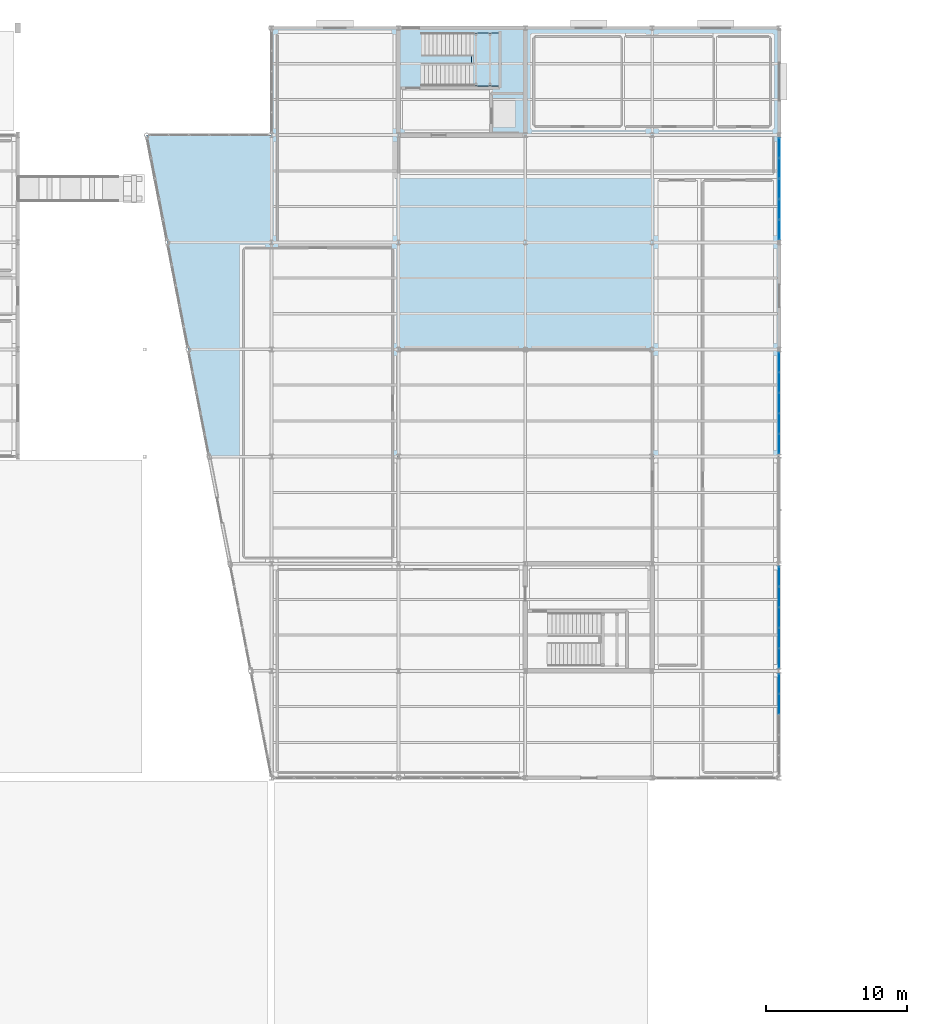
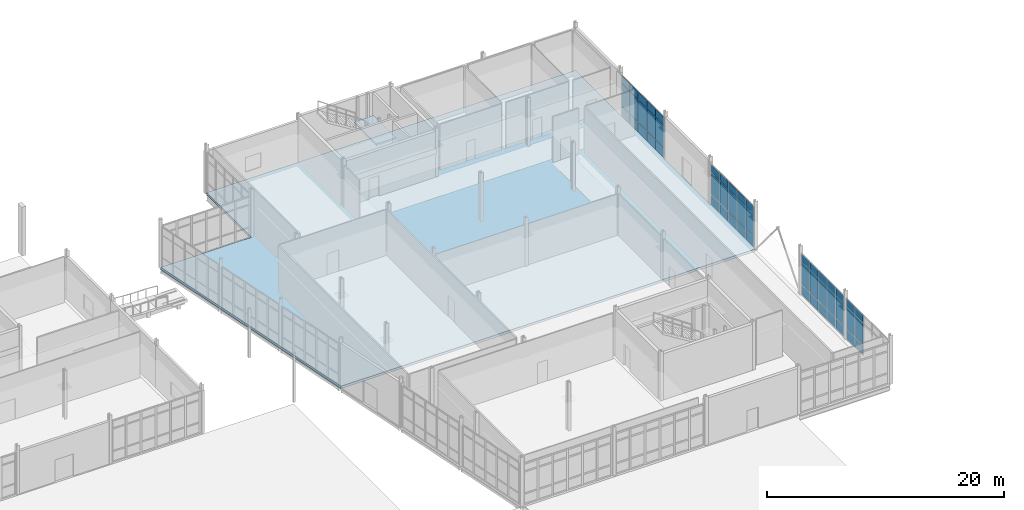
# One storey, part 133 of 161: 51 plates, 2 slabs, 5 elements without a shape of their own.
"""IFC4 building model written with IfcOpenShell, lengths in metres."""

from ifc_helpers import new_model, si_unit, direction, frame, origin, origin_2d, place, context, subcontext, project, spatial, polyline, rectangle, outline, extrude, material, layer, layer_set, type_object, element, aggregate, save


model = new_model("IFC4")

# Units and contexts
model_context = context("Model", 3, precision=1e-05, world=origin(), true_north=direction((0.0, 1.0)))
body_context = subcontext(model_context, "Body", "Model", "MODEL_VIEW")
ifc_project = project(units=[si_unit("LENGTHUNIT", "METRE"), si_unit("AREAUNIT", "SQUARE_METRE"), si_unit("VOLUMEUNIT", "CUBIC_METRE"), si_unit("PLANEANGLEUNIT", "RADIAN"), si_unit("MASSUNIT", "GRAM", prefix="KILO")], contexts=[model_context])

# Site, building, storey
site_placement = place(None, origin())
site = spatial("IfcSite", under=ifc_project, at=site_placement, CompositionType="ELEMENT")
building_placement = place(site_placement, origin())
building = spatial("IfcBuilding", under=site, at=building_placement, Name="Caisbarro Railhouse Central Library", CompositionType="ELEMENT")
storey_placement = place(building_placement, origin())
storey = spatial("IfcBuildingStorey", under=building, at=storey_placement, Name="L00", CompositionType="ELEMENT", Elevation=0.0)

# Curtain wall, plates
ifc_material_1 = material(Name="Anodised architectural aluminium", Category="aluminium")
curtain_wall_type = type_object("IfcCurtainWallType", Name="CW-CW03", PredefinedType="NOTDEFINED", material=ifc_material_1)
curtain_wall_1_placement = place(storey_placement, origin())
curtain_wall_1 = element("IfcCurtainWall", 1, at=curtain_wall_1_placement, inside=storey, type_object=curtain_wall_type, Name="CW03 curtain wall L00 #106", PredefinedType="NOTDEFINED")
ifc_material_2 = material(Name="Double low-e laminated solar-control glass", Category="glass")
ifc_layer_1 = layer(ifc_material_2, 0.01806640625, Name="Double low-e laminated solar-control glass")
ifc_layer_set_1 = layer_set([ifc_layer_1], Name="Double low-e laminated solar-control glass")
plate_type_1 = type_object("IfcPlateType", Name="CWP-CP18", PredefinedType="CURTAIN_PANEL", material=ifc_layer_set_1)
plate_1_placement = place(storey_placement, frame((153.0, 66.055908203125, 0.06494140625), z_axis=(0.0, 0.0, 1.0), x_axis=(0.0, 1.0, 0.0)))
plate_1 = element("IfcPlate", 2, at=plate_1_placement, type_object=plate_type_1, Name="CW03 panel 4.1", PredefinedType="CURTAIN_PANEL", context=body_context, shape_type="SweptSolid", body=[
    extrude(rectangle(XDim=1.39111328125, YDim=0.01806640625, at=origin_2d()), origin(), (0.0, 0.0, 1.0), 1.0224609375),
])
plate_2_placement = place(storey_placement, frame((153.0, 66.055908203125, 1.15234375), z_axis=(0.0, 0.0, 1.0), x_axis=(0.0, 1.0, 0.0)))
plate_2 = element("IfcPlate", 3, at=plate_2_placement, type_object=plate_type_1, Name="CW03 panel 4.2", PredefinedType="CURTAIN_PANEL", context=body_context, shape_type="SweptSolid", body=[
    extrude(rectangle(XDim=1.39111328125, YDim=0.01806640625, at=origin_2d()), origin(), (0.0, 0.0, 1.0), 2.264892578125),
])
plate_3_placement = place(storey_placement, frame((153.0, 66.055908203125, 3.482421875), z_axis=(0.0, 0.0, 1.0), x_axis=(0.0, 1.0, 0.0)))
plate_3 = element("IfcPlate", 4, at=plate_3_placement, type_object=plate_type_1, Name="CW03 panel 4.3", PredefinedType="CURTAIN_PANEL", context=body_context, shape_type="SweptSolid", body=[
    extrude(rectangle(XDim=1.39111328125, YDim=0.01806640625, at=origin_2d()), origin(), (0.0, 0.0, 1.0), 0.75244140625),
])
plate_4_placement = place(storey_placement, frame((153.0, 67.495849609375, 0.06494140625), z_axis=(0.0, 0.0, 1.0), x_axis=(0.0, 1.0, 0.0)))
plate_4 = element("IfcPlate", 5, at=plate_4_placement, type_object=plate_type_1, Name="CW03 panel 5.1", PredefinedType="CURTAIN_PANEL", context=body_context, shape_type="SweptSolid", body=[
    extrude(rectangle(XDim=1.3583984375, YDim=0.01806640625, at=origin_2d()), origin(), (0.0, 0.0, 1.0), 1.0224609375),
])
plate_5_placement = place(storey_placement, frame((153.0, 67.495849609375, 1.15234375), z_axis=(0.0, 0.0, 1.0), x_axis=(0.0, 1.0, 0.0)))
plate_5 = element("IfcPlate", 6, at=plate_5_placement, type_object=plate_type_1, Name="CW03 panel 5.2", PredefinedType="CURTAIN_PANEL", context=body_context, shape_type="SweptSolid", body=[
    extrude(rectangle(XDim=1.3583984375, YDim=0.01806640625, at=origin_2d()), origin(), (0.0, 0.0, 1.0), 2.264892578125),
])
plate_6_placement = place(storey_placement, frame((153.0, 67.495849609375, 3.482421875), z_axis=(0.0, 0.0, 1.0), x_axis=(0.0, 1.0, 0.0)))
plate_6 = element("IfcPlate", 7, at=plate_6_placement, type_object=plate_type_1, Name="CW03 panel 5.3", PredefinedType="CURTAIN_PANEL", context=body_context, shape_type="SweptSolid", body=[
    extrude(rectangle(XDim=1.3583984375, YDim=0.01806640625, at=origin_2d()), origin(), (0.0, 0.0, 1.0), 0.75244140625),
])
aggregate(curtain_wall_1, [plate_1, plate_2, plate_3, plate_4, plate_5, plate_6])

curtain_wall_2_placement = place(storey_placement, origin())
curtain_wall_2 = element("IfcCurtainWall", 8, at=curtain_wall_2_placement, inside=storey, type_object=curtain_wall_type, Name="CW03 curtain wall L00 #107", PredefinedType="NOTDEFINED")
ifc_layer_2 = layer(ifc_material_2, 0.028076171875, Name="Double low-e laminated solar-control glass")
ifc_layer_set_2 = layer_set([ifc_layer_2], Name="Double low-e laminated solar-control glass")
plate_type_2 = type_object("IfcPlateType", Name="CWP-CP28", PredefinedType="CURTAIN_PANEL", material=ifc_layer_set_2)
plate_7_placement = place(storey_placement, frame((153.0, 69.30419921875, 0.06494140625), z_axis=(0.0, 0.0, 1.0), x_axis=(0.0, 1.0, 0.0)))
plate_7 = element("IfcPlate", 9, at=plate_7_placement, type_object=plate_type_2, Name="CW03 panel 1.1", PredefinedType="CURTAIN_PANEL", context=body_context, shape_type="SweptSolid", body=[
    extrude(rectangle(XDim=1.3583984375, YDim=0.028076171875, at=origin_2d()), origin(), (0.0, 0.0, 1.0), 1.0224609375),
])
plate_8_placement = place(storey_placement, frame((153.0, 69.30419921875, 1.15234375), z_axis=(0.0, 0.0, 1.0), x_axis=(0.0, 1.0, 0.0)))
plate_8 = element("IfcPlate", 10, at=plate_8_placement, type_object=plate_type_2, Name="CW03 panel 1.2", PredefinedType="CURTAIN_PANEL", context=body_context, shape_type="SweptSolid", body=[
    extrude(rectangle(XDim=1.3583984375, YDim=0.028076171875, at=origin_2d()), origin(), (0.0, 0.0, 1.0), 2.264892578125),
])
plate_9_placement = place(storey_placement, frame((153.0, 69.30419921875, 3.482421875), z_axis=(0.0, 0.0, 1.0), x_axis=(0.0, 1.0, 0.0)))
plate_9 = element("IfcPlate", 11, at=plate_9_placement, type_object=plate_type_2, Name="CW03 panel 1.3", PredefinedType="CURTAIN_PANEL", context=body_context, shape_type="SweptSolid", body=[
    extrude(rectangle(XDim=1.3583984375, YDim=0.028076171875, at=origin_2d()), origin(), (0.0, 0.0, 1.0), 0.75244140625),
])
plate_10_placement = place(storey_placement, frame((153.0, 70.743896484375, 0.06494140625), z_axis=(0.0, 0.0, 1.0), x_axis=(0.0, 1.0, 0.0)))
plate_10 = element("IfcPlate", 12, at=plate_10_placement, type_object=plate_type_2, Name="CW03 panel 2.1", PredefinedType="CURTAIN_PANEL", context=body_context, shape_type="SweptSolid", body=[
    extrude(rectangle(XDim=1.39111328125, YDim=0.028076171875, at=origin_2d()), origin(), (0.0, 0.0, 1.0), 1.0224609375),
])
plate_11_placement = place(storey_placement, frame((153.0, 70.743896484375, 1.15234375), z_axis=(0.0, 0.0, 1.0), x_axis=(0.0, 1.0, 0.0)))
plate_11 = element("IfcPlate", 13, at=plate_11_placement, type_object=plate_type_2, Name="CW03 panel 2.2", PredefinedType="CURTAIN_PANEL", context=body_context, shape_type="SweptSolid", body=[
    extrude(rectangle(XDim=1.39111328125, YDim=0.028076171875, at=origin_2d()), origin(), (0.0, 0.0, 1.0), 2.264892578125),
])
plate_12_placement = place(storey_placement, frame((153.0, 70.743896484375, 3.482421875), z_axis=(0.0, 0.0, 1.0), x_axis=(0.0, 1.0, 0.0)))
plate_12 = element("IfcPlate", 14, at=plate_12_placement, type_object=plate_type_2, Name="CW03 panel 2.3", PredefinedType="CURTAIN_PANEL", context=body_context, shape_type="SweptSolid", body=[
    extrude(rectangle(XDim=1.39111328125, YDim=0.028076171875, at=origin_2d()), origin(), (0.0, 0.0, 1.0), 0.75244140625),
])
plate_13_placement = place(storey_placement, frame((153.0, 72.199951171875, 0.06494140625), z_axis=(0.0, 0.0, 1.0), x_axis=(0.0, 1.0, 0.0)))
plate_13 = element("IfcPlate", 15, at=plate_13_placement, type_object=plate_type_2, Name="CW03 panel 3.1", PredefinedType="CURTAIN_PANEL", context=body_context, shape_type="SweptSolid", body=[
    extrude(rectangle(XDim=1.39111328125, YDim=0.028076171875, at=origin_2d()), origin(), (0.0, 0.0, 1.0), 1.0224609375),
])
plate_14_placement = place(storey_placement, frame((153.0, 72.199951171875, 1.15234375), z_axis=(0.0, 0.0, 1.0), x_axis=(0.0, 1.0, 0.0)))
plate_14 = element("IfcPlate", 16, at=plate_14_placement, type_object=plate_type_2, Name="CW03 panel 3.2", PredefinedType="CURTAIN_PANEL", context=body_context, shape_type="SweptSolid", body=[
    extrude(rectangle(XDim=1.39111328125, YDim=0.028076171875, at=origin_2d()), origin(), (0.0, 0.0, 1.0), 2.264892578125),
])
plate_15_placement = place(storey_placement, frame((153.0, 72.199951171875, 3.482421875), z_axis=(0.0, 0.0, 1.0), x_axis=(0.0, 1.0, 0.0)))
plate_15 = element("IfcPlate", 17, at=plate_15_placement, type_object=plate_type_2, Name="CW03 panel 3.3", PredefinedType="CURTAIN_PANEL", context=body_context, shape_type="SweptSolid", body=[
    extrude(rectangle(XDim=1.39111328125, YDim=0.028076171875, at=origin_2d()), origin(), (0.0, 0.0, 1.0), 0.75244140625),
])
plate_16_placement = place(storey_placement, frame((153.0, 73.656005859375, 0.06494140625), z_axis=(0.0, 0.0, 1.0), x_axis=(0.0, 1.0, 0.0)))
plate_16 = element("IfcPlate", 18, at=plate_16_placement, type_object=plate_type_2, Name="CW03 panel 4.1", PredefinedType="CURTAIN_PANEL", context=body_context, shape_type="SweptSolid", body=[
    extrude(rectangle(XDim=1.39111328125, YDim=0.028076171875, at=origin_2d()), origin(), (0.0, 0.0, 1.0), 1.0224609375),
])
plate_17_placement = place(storey_placement, frame((153.0, 73.656005859375, 1.15234375), z_axis=(0.0, 0.0, 1.0), x_axis=(0.0, 1.0, 0.0)))
plate_17 = element("IfcPlate", 19, at=plate_17_placement, type_object=plate_type_2, Name="CW03 panel 4.2", PredefinedType="CURTAIN_PANEL", context=body_context, shape_type="SweptSolid", body=[
    extrude(rectangle(XDim=1.39111328125, YDim=0.028076171875, at=origin_2d()), origin(), (0.0, 0.0, 1.0), 2.264892578125),
])
plate_18_placement = place(storey_placement, frame((153.0, 73.656005859375, 3.482421875), z_axis=(0.0, 0.0, 1.0), x_axis=(0.0, 1.0, 0.0)))
plate_18 = element("IfcPlate", 20, at=plate_18_placement, type_object=plate_type_2, Name="CW03 panel 4.3", PredefinedType="CURTAIN_PANEL", context=body_context, shape_type="SweptSolid", body=[
    extrude(rectangle(XDim=1.39111328125, YDim=0.028076171875, at=origin_2d()), origin(), (0.0, 0.0, 1.0), 0.75244140625),
])
plate_19_placement = place(storey_placement, frame((153.0, 75.095703125, 0.06494140625), z_axis=(0.0, 0.0, 1.0), x_axis=(0.0, 1.0, 0.0)))
plate_19 = element("IfcPlate", 21, at=plate_19_placement, type_object=plate_type_2, Name="CW03 panel 5.1", PredefinedType="CURTAIN_PANEL", context=body_context, shape_type="SweptSolid", body=[
    extrude(rectangle(XDim=1.3583984375, YDim=0.028076171875, at=origin_2d()), origin(), (0.0, 0.0, 1.0), 1.0224609375),
])
plate_20_placement = place(storey_placement, frame((153.0, 75.095703125, 1.15234375), z_axis=(0.0, 0.0, 1.0), x_axis=(0.0, 1.0, 0.0)))
plate_20 = element("IfcPlate", 22, at=plate_20_placement, type_object=plate_type_2, Name="CW03 panel 5.2", PredefinedType="CURTAIN_PANEL", context=body_context, shape_type="SweptSolid", body=[
    extrude(rectangle(XDim=1.3583984375, YDim=0.028076171875, at=origin_2d()), origin(), (0.0, 0.0, 1.0), 2.264892578125),
])
plate_21_placement = place(storey_placement, frame((153.0, 75.095703125, 3.482421875), z_axis=(0.0, 0.0, 1.0), x_axis=(0.0, 1.0, 0.0)))
plate_21 = element("IfcPlate", 23, at=plate_21_placement, type_object=plate_type_2, Name="CW03 panel 5.3", PredefinedType="CURTAIN_PANEL", context=body_context, shape_type="SweptSolid", body=[
    extrude(rectangle(XDim=1.3583984375, YDim=0.028076171875, at=origin_2d()), origin(), (0.0, 0.0, 1.0), 0.75244140625),
])
aggregate(curtain_wall_2, [plate_7, plate_8, plate_9, plate_10, plate_11, plate_12, plate_13, plate_14, plate_15, plate_16, plate_17, plate_18, plate_19, plate_20, plate_21])

curtain_wall_3_placement = place(storey_placement, origin())
curtain_wall_3 = element("IfcCurtainWall", 24, at=curtain_wall_3_placement, inside=storey, type_object=curtain_wall_type, Name="CW03 curtain wall L00 #108", PredefinedType="NOTDEFINED")
ifc_layer_3 = layer(ifc_material_2, 0.048095703125, Name="Double low-e laminated solar-control glass")
ifc_layer_set_3 = layer_set([ifc_layer_3], Name="Double low-e laminated solar-control glass")
plate_type_3 = type_object("IfcPlateType", Name="CWP-CP48", PredefinedType="CURTAIN_PANEL", material=ifc_layer_set_3)
plate_22_placement = place(storey_placement, frame((153.0, 84.504150390625, 0.06494140625), z_axis=(0.0, 0.0, 1.0), x_axis=(0.0, 1.0, 0.0)))
plate_22 = element("IfcPlate", 25, at=plate_22_placement, type_object=plate_type_3, Name="CW03 panel 1.1", PredefinedType="CURTAIN_PANEL", context=body_context, shape_type="SweptSolid", body=[
    extrude(rectangle(XDim=1.3583984375, YDim=0.048095703125, at=origin_2d()), origin(), (0.0, 0.0, 1.0), 1.0224609375),
])
plate_23_placement = place(storey_placement, frame((153.0, 84.504150390625, 1.15234375), z_axis=(0.0, 0.0, 1.0), x_axis=(0.0, 1.0, 0.0)))
plate_23 = element("IfcPlate", 26, at=plate_23_placement, type_object=plate_type_3, Name="CW03 panel 1.2", PredefinedType="CURTAIN_PANEL", context=body_context, shape_type="SweptSolid", body=[
    extrude(rectangle(XDim=1.3583984375, YDim=0.048095703125, at=origin_2d()), origin(), (0.0, 0.0, 1.0), 2.264892578125),
])
plate_24_placement = place(storey_placement, frame((153.0, 84.504150390625, 3.482421875), z_axis=(0.0, 0.0, 1.0), x_axis=(0.0, 1.0, 0.0)))
plate_24 = element("IfcPlate", 27, at=plate_24_placement, type_object=plate_type_3, Name="CW03 panel 1.3", PredefinedType="CURTAIN_PANEL", context=body_context, shape_type="SweptSolid", body=[
    extrude(rectangle(XDim=1.3583984375, YDim=0.048095703125, at=origin_2d()), origin(), (0.0, 0.0, 1.0), 0.75244140625),
])
plate_25_placement = place(storey_placement, frame((153.0, 85.944091796875, 0.06494140625), z_axis=(0.0, 0.0, 1.0), x_axis=(0.0, 1.0, 0.0)))
plate_25 = element("IfcPlate", 28, at=plate_25_placement, type_object=plate_type_3, Name="CW03 panel 2.1", PredefinedType="CURTAIN_PANEL", context=body_context, shape_type="SweptSolid", body=[
    extrude(rectangle(XDim=1.39111328125, YDim=0.048095703125, at=origin_2d()), origin(), (0.0, 0.0, 1.0), 1.0224609375),
])
plate_26_placement = place(storey_placement, frame((153.0, 85.944091796875, 1.15234375), z_axis=(0.0, 0.0, 1.0), x_axis=(0.0, 1.0, 0.0)))
plate_26 = element("IfcPlate", 29, at=plate_26_placement, type_object=plate_type_3, Name="CW03 panel 2.2", PredefinedType="CURTAIN_PANEL", context=body_context, shape_type="SweptSolid", body=[
    extrude(rectangle(XDim=1.39111328125, YDim=0.048095703125, at=origin_2d()), origin(), (0.0, 0.0, 1.0), 2.264892578125),
])
plate_27_placement = place(storey_placement, frame((153.0, 85.944091796875, 3.482421875), z_axis=(0.0, 0.0, 1.0), x_axis=(0.0, 1.0, 0.0)))
plate_27 = element("IfcPlate", 30, at=plate_27_placement, type_object=plate_type_3, Name="CW03 panel 2.3", PredefinedType="CURTAIN_PANEL", context=body_context, shape_type="SweptSolid", body=[
    extrude(rectangle(XDim=1.39111328125, YDim=0.048095703125, at=origin_2d()), origin(), (0.0, 0.0, 1.0), 0.75244140625),
])
plate_28_placement = place(storey_placement, frame((153.0, 87.39990234375, 0.06494140625), z_axis=(0.0, 0.0, 1.0), x_axis=(0.0, 1.0, 0.0)))
plate_28 = element("IfcPlate", 31, at=plate_28_placement, type_object=plate_type_3, Name="CW03 panel 3.1", PredefinedType="CURTAIN_PANEL", context=body_context, shape_type="SweptSolid", body=[
    extrude(rectangle(XDim=1.39111328125, YDim=0.048095703125, at=origin_2d()), origin(), (0.0, 0.0, 1.0), 1.0224609375),
])
plate_29_placement = place(storey_placement, frame((153.0, 87.39990234375, 1.15234375), z_axis=(0.0, 0.0, 1.0), x_axis=(0.0, 1.0, 0.0)))
plate_29 = element("IfcPlate", 32, at=plate_29_placement, type_object=plate_type_3, Name="CW03 panel 3.2", PredefinedType="CURTAIN_PANEL", context=body_context, shape_type="SweptSolid", body=[
    extrude(rectangle(XDim=1.39111328125, YDim=0.048095703125, at=origin_2d()), origin(), (0.0, 0.0, 1.0), 2.264892578125),
])
plate_30_placement = place(storey_placement, frame((153.0, 87.39990234375, 3.482421875), z_axis=(0.0, 0.0, 1.0), x_axis=(0.0, 1.0, 0.0)))
plate_30 = element("IfcPlate", 33, at=plate_30_placement, type_object=plate_type_3, Name="CW03 panel 3.3", PredefinedType="CURTAIN_PANEL", context=body_context, shape_type="SweptSolid", body=[
    extrude(rectangle(XDim=1.39111328125, YDim=0.048095703125, at=origin_2d()), origin(), (0.0, 0.0, 1.0), 0.75244140625),
])
plate_31_placement = place(storey_placement, frame((153.0, 88.85595703125, 0.06494140625), z_axis=(0.0, 0.0, 1.0), x_axis=(0.0, 1.0, 0.0)))
plate_31 = element("IfcPlate", 34, at=plate_31_placement, type_object=plate_type_3, Name="CW03 panel 4.1", PredefinedType="CURTAIN_PANEL", context=body_context, shape_type="SweptSolid", body=[
    extrude(rectangle(XDim=1.39111328125, YDim=0.048095703125, at=origin_2d()), origin(), (0.0, 0.0, 1.0), 1.0224609375),
])
plate_32_placement = place(storey_placement, frame((153.0, 88.85595703125, 1.15234375), z_axis=(0.0, 0.0, 1.0), x_axis=(0.0, 1.0, 0.0)))
plate_32 = element("IfcPlate", 35, at=plate_32_placement, type_object=plate_type_3, Name="CW03 panel 4.2", PredefinedType="CURTAIN_PANEL", context=body_context, shape_type="SweptSolid", body=[
    extrude(rectangle(XDim=1.39111328125, YDim=0.048095703125, at=origin_2d()), origin(), (0.0, 0.0, 1.0), 2.264892578125),
])
plate_33_placement = place(storey_placement, frame((153.0, 88.85595703125, 3.482421875), z_axis=(0.0, 0.0, 1.0), x_axis=(0.0, 1.0, 0.0)))
plate_33 = element("IfcPlate", 36, at=plate_33_placement, type_object=plate_type_3, Name="CW03 panel 4.3", PredefinedType="CURTAIN_PANEL", context=body_context, shape_type="SweptSolid", body=[
    extrude(rectangle(XDim=1.39111328125, YDim=0.048095703125, at=origin_2d()), origin(), (0.0, 0.0, 1.0), 0.75244140625),
])
plate_34_placement = place(storey_placement, frame((153.0, 90.295654296875, 0.06494140625), z_axis=(0.0, 0.0, 1.0), x_axis=(0.0, 1.0, 0.0)))
plate_34 = element("IfcPlate", 37, at=plate_34_placement, type_object=plate_type_3, Name="CW03 panel 5.1", PredefinedType="CURTAIN_PANEL", context=body_context, shape_type="SweptSolid", body=[
    extrude(rectangle(XDim=1.3583984375, YDim=0.048095703125, at=origin_2d()), origin(), (0.0, 0.0, 1.0), 1.0224609375),
])
plate_35_placement = place(storey_placement, frame((153.0, 90.295654296875, 1.15234375), z_axis=(0.0, 0.0, 1.0), x_axis=(0.0, 1.0, 0.0)))
plate_35 = element("IfcPlate", 38, at=plate_35_placement, type_object=plate_type_3, Name="CW03 panel 5.2", PredefinedType="CURTAIN_PANEL", context=body_context, shape_type="SweptSolid", body=[
    extrude(rectangle(XDim=1.3583984375, YDim=0.048095703125, at=origin_2d()), origin(), (0.0, 0.0, 1.0), 2.264892578125),
])
plate_36_placement = place(storey_placement, frame((153.0, 90.295654296875, 3.482421875), z_axis=(0.0, 0.0, 1.0), x_axis=(0.0, 1.0, 0.0)))
plate_36 = element("IfcPlate", 39, at=plate_36_placement, type_object=plate_type_3, Name="CW03 panel 5.3", PredefinedType="CURTAIN_PANEL", context=body_context, shape_type="SweptSolid", body=[
    extrude(rectangle(XDim=1.3583984375, YDim=0.048095703125, at=origin_2d()), origin(), (0.0, 0.0, 1.0), 0.75244140625),
])
aggregate(curtain_wall_3, [plate_22, plate_23, plate_24, plate_25, plate_26, plate_27, plate_28, plate_29, plate_30, plate_31, plate_32, plate_33, plate_34, plate_35, plate_36])

curtain_wall_4_placement = place(storey_placement, origin())
curtain_wall_4 = element("IfcCurtainWall", 40, at=curtain_wall_4_placement, inside=storey, type_object=curtain_wall_type, Name="CW03 curtain wall L00 #109", PredefinedType="NOTDEFINED")
ifc_layer_4 = layer(ifc_material_2, 0.068115234375, Name="Double low-e laminated solar-control glass")
ifc_layer_set_4 = layer_set([ifc_layer_4], Name="Double low-e laminated solar-control glass")
plate_type_4 = type_object("IfcPlateType", Name="CWP-CP68", PredefinedType="CURTAIN_PANEL", material=ifc_layer_set_4)
plate_37_placement = place(storey_placement, frame((153.0, 99.704345703125, 0.06494140625), z_axis=(0.0, 0.0, 1.0), x_axis=(0.0, 1.0, 0.0)))
plate_37 = element("IfcPlate", 41, at=plate_37_placement, type_object=plate_type_4, Name="CW03 panel 1.1", PredefinedType="CURTAIN_PANEL", context=body_context, shape_type="SweptSolid", body=[
    extrude(rectangle(XDim=1.3583984375, YDim=0.068115234375, at=origin_2d()), origin(), (0.0, 0.0, 1.0), 1.0224609375),
])
plate_38_placement = place(storey_placement, frame((153.0, 99.704345703125, 1.15234375), z_axis=(0.0, 0.0, 1.0), x_axis=(0.0, 1.0, 0.0)))
plate_38 = element("IfcPlate", 42, at=plate_38_placement, type_object=plate_type_4, Name="CW03 panel 1.2", PredefinedType="CURTAIN_PANEL", context=body_context, shape_type="SweptSolid", body=[
    extrude(rectangle(XDim=1.3583984375, YDim=0.068115234375, at=origin_2d()), origin(), (0.0, 0.0, 1.0), 2.264892578125),
])
plate_39_placement = place(storey_placement, frame((153.0, 99.704345703125, 3.482421875), z_axis=(0.0, 0.0, 1.0), x_axis=(0.0, 1.0, 0.0)))
plate_39 = element("IfcPlate", 43, at=plate_39_placement, type_object=plate_type_4, Name="CW03 panel 1.3", PredefinedType="CURTAIN_PANEL", context=body_context, shape_type="SweptSolid", body=[
    extrude(rectangle(XDim=1.3583984375, YDim=0.068115234375, at=origin_2d()), origin(), (0.0, 0.0, 1.0), 0.75244140625),
])
plate_40_placement = place(storey_placement, frame((153.0, 101.14404296875, 0.06494140625), z_axis=(0.0, 0.0, 1.0), x_axis=(0.0, 1.0, 0.0)))
plate_40 = element("IfcPlate", 44, at=plate_40_placement, type_object=plate_type_4, Name="CW03 panel 2.1", PredefinedType="CURTAIN_PANEL", context=body_context, shape_type="SweptSolid", body=[
    extrude(rectangle(XDim=1.39111328125, YDim=0.068115234375, at=origin_2d()), origin(), (0.0, 0.0, 1.0), 1.0224609375),
])
plate_41_placement = place(storey_placement, frame((153.0, 101.14404296875, 1.15234375), z_axis=(0.0, 0.0, 1.0), x_axis=(0.0, 1.0, 0.0)))
plate_41 = element("IfcPlate", 45, at=plate_41_placement, type_object=plate_type_4, Name="CW03 panel 2.2", PredefinedType="CURTAIN_PANEL", context=body_context, shape_type="SweptSolid", body=[
    extrude(rectangle(XDim=1.39111328125, YDim=0.068115234375, at=origin_2d()), origin(), (0.0, 0.0, 1.0), 2.264892578125),
])
plate_42_placement = place(storey_placement, frame((153.0, 101.14404296875, 3.482421875), z_axis=(0.0, 0.0, 1.0), x_axis=(0.0, 1.0, 0.0)))
plate_42 = element("IfcPlate", 46, at=plate_42_placement, type_object=plate_type_4, Name="CW03 panel 2.3", PredefinedType="CURTAIN_PANEL", context=body_context, shape_type="SweptSolid", body=[
    extrude(rectangle(XDim=1.39111328125, YDim=0.068115234375, at=origin_2d()), origin(), (0.0, 0.0, 1.0), 0.75244140625),
])
plate_43_placement = place(storey_placement, frame((153.0, 102.60009765625, 0.06494140625), z_axis=(0.0, 0.0, 1.0), x_axis=(0.0, 1.0, 0.0)))
plate_43 = element("IfcPlate", 47, at=plate_43_placement, type_object=plate_type_4, Name="CW03 panel 3.1", PredefinedType="CURTAIN_PANEL", context=body_context, shape_type="SweptSolid", body=[
    extrude(rectangle(XDim=1.39111328125, YDim=0.068115234375, at=origin_2d()), origin(), (0.0, 0.0, 1.0), 1.0224609375),
])
plate_44_placement = place(storey_placement, frame((153.0, 102.60009765625, 1.15234375), z_axis=(0.0, 0.0, 1.0), x_axis=(0.0, 1.0, 0.0)))
plate_44 = element("IfcPlate", 48, at=plate_44_placement, type_object=plate_type_4, Name="CW03 panel 3.2", PredefinedType="CURTAIN_PANEL", context=body_context, shape_type="SweptSolid", body=[
    extrude(rectangle(XDim=1.39111328125, YDim=0.068115234375, at=origin_2d()), origin(), (0.0, 0.0, 1.0), 2.264892578125),
])
plate_45_placement = place(storey_placement, frame((153.0, 102.60009765625, 3.482421875), z_axis=(0.0, 0.0, 1.0), x_axis=(0.0, 1.0, 0.0)))
plate_45 = element("IfcPlate", 49, at=plate_45_placement, type_object=plate_type_4, Name="CW03 panel 3.3", PredefinedType="CURTAIN_PANEL", context=body_context, shape_type="SweptSolid", body=[
    extrude(rectangle(XDim=1.39111328125, YDim=0.068115234375, at=origin_2d()), origin(), (0.0, 0.0, 1.0), 0.75244140625),
])
plate_46_placement = place(storey_placement, frame((153.0, 104.055908203125, 0.06494140625), z_axis=(0.0, 0.0, 1.0), x_axis=(0.0, 1.0, 0.0)))
plate_46 = element("IfcPlate", 50, at=plate_46_placement, type_object=plate_type_4, Name="CW03 panel 4.1", PredefinedType="CURTAIN_PANEL", context=body_context, shape_type="SweptSolid", body=[
    extrude(rectangle(XDim=1.39111328125, YDim=0.068115234375, at=origin_2d()), origin(), (0.0, 0.0, 1.0), 1.0224609375),
])
plate_47_placement = place(storey_placement, frame((153.0, 104.055908203125, 1.15234375), z_axis=(0.0, 0.0, 1.0), x_axis=(0.0, 1.0, 0.0)))
plate_47 = element("IfcPlate", 51, at=plate_47_placement, type_object=plate_type_4, Name="CW03 panel 4.2", PredefinedType="CURTAIN_PANEL", context=body_context, shape_type="SweptSolid", body=[
    extrude(rectangle(XDim=1.39111328125, YDim=0.068115234375, at=origin_2d()), origin(), (0.0, 0.0, 1.0), 2.264892578125),
])
plate_48_placement = place(storey_placement, frame((153.0, 104.055908203125, 3.482421875), z_axis=(0.0, 0.0, 1.0), x_axis=(0.0, 1.0, 0.0)))
plate_48 = element("IfcPlate", 52, at=plate_48_placement, type_object=plate_type_4, Name="CW03 panel 4.3", PredefinedType="CURTAIN_PANEL", context=body_context, shape_type="SweptSolid", body=[
    extrude(rectangle(XDim=1.39111328125, YDim=0.068115234375, at=origin_2d()), origin(), (0.0, 0.0, 1.0), 0.75244140625),
])
plate_49_placement = place(storey_placement, frame((153.0, 105.495849609375, 0.06494140625), z_axis=(0.0, 0.0, 1.0), x_axis=(0.0, 1.0, 0.0)))
plate_49 = element("IfcPlate", 53, at=plate_49_placement, type_object=plate_type_4, Name="CW03 panel 5.1", PredefinedType="CURTAIN_PANEL", context=body_context, shape_type="SweptSolid", body=[
    extrude(rectangle(XDim=1.3583984375, YDim=0.068115234375, at=origin_2d()), origin(), (0.0, 0.0, 1.0), 1.0224609375),
])
plate_50_placement = place(storey_placement, frame((153.0, 105.495849609375, 1.15234375), z_axis=(0.0, 0.0, 1.0), x_axis=(0.0, 1.0, 0.0)))
plate_50 = element("IfcPlate", 54, at=plate_50_placement, type_object=plate_type_4, Name="CW03 panel 5.2", PredefinedType="CURTAIN_PANEL", context=body_context, shape_type="SweptSolid", body=[
    extrude(rectangle(XDim=1.3583984375, YDim=0.068115234375, at=origin_2d()), origin(), (0.0, 0.0, 1.0), 2.264892578125),
])
plate_51_placement = place(storey_placement, frame((153.0, 105.495849609375, 3.482421875), z_axis=(0.0, 0.0, 1.0), x_axis=(0.0, 1.0, 0.0)))
plate_51 = element("IfcPlate", 55, at=plate_51_placement, type_object=plate_type_4, Name="CW03 panel 5.3", PredefinedType="CURTAIN_PANEL", context=body_context, shape_type="SweptSolid", body=[
    extrude(rectangle(XDim=1.3583984375, YDim=0.068115234375, at=origin_2d()), origin(), (0.0, 0.0, 1.0), 0.75244140625),
])
aggregate(curtain_wall_4, [plate_37, plate_38, plate_39, plate_40, plate_41, plate_42, plate_43, plate_44, plate_45, plate_46, plate_47, plate_48, plate_49, plate_50, plate_51])

# Slab
ifc_material_3 = material(Name="Concrete C35", Category="concrete")
ifc_layer_5 = layer(ifc_material_3, 0.25, Name="Concrete C35")
ifc_layer_set_5 = layer_set([ifc_layer_5], Name="Concrete C35")
slab_type_1 = type_object("IfcSlabType", Name="SLB-BS25", PredefinedType="BASESLAB", material=ifc_layer_set_5)
slab_1_placement = place(storey_placement, frame((0.0, 0.0, -0.25)))
element("IfcSlab", 56, at=slab_1_placement, inside=storey, type_object=slab_type_1, Name="SB25 structural slab L00 V4.2", PredefinedType="BASESLAB", context=body_context, shape_type="SweptSolid", body=[
    extrude(outline(polyline([(112.568115234375, 83.60009765625), (153.0, 83.60009765625), (153.0, 114.0), (117.0, 114.0), (117.0, 106.39990234375), (108.135986328125, 106.39990234375), (112.568115234375, 83.60009765625)])), origin(), (0.0, 0.0, 1.0), 0.25),
])

# Stair, slab
stair_type = type_object("IfcStairType", Name="STR-ST50", PredefinedType="HALF_TURN_STAIR", material=ifc_material_3)
stair_placement = place(storey_placement, origin())
stair = element("IfcStair", 57, at=stair_placement, inside=storey, type_object=stair_type, Name="Protected Stair ST-03 (L00)", PredefinedType="HALF_TURN_STAIR")
ifc_layer_6 = layer(ifc_material_3, 0.18994140625, Name="Concrete C35")
ifc_layer_set_6 = layer_set([ifc_layer_6], Name="Concrete C35")
slab_type_2 = type_object("IfcSlabType", Name="SLB-LND19", PredefinedType="LANDING", material=ifc_layer_set_6)
slab_2_placement = place(storey_placement, frame((0.0, 0.0, 2.330078125)))
slab_2 = element("IfcSlab", 58, at=slab_2_placement, type_object=slab_type_2, Name="ST-03 landing 1", PredefinedType="LANDING", context=body_context, shape_type="SweptSolid", body=[
    extrude(outline(polyline([(131.199951171875, 109.889892578125), (133.1201171875, 109.889892578125), (133.1201171875, 113.659912109375), (131.199951171875, 113.659912109375), (131.199951171875, 109.889892578125)])), origin(), (0.0, 0.0, 1.0), 0.18994140625),
])
aggregate(stair, [slab_2])

save(model, "model.ifc")
